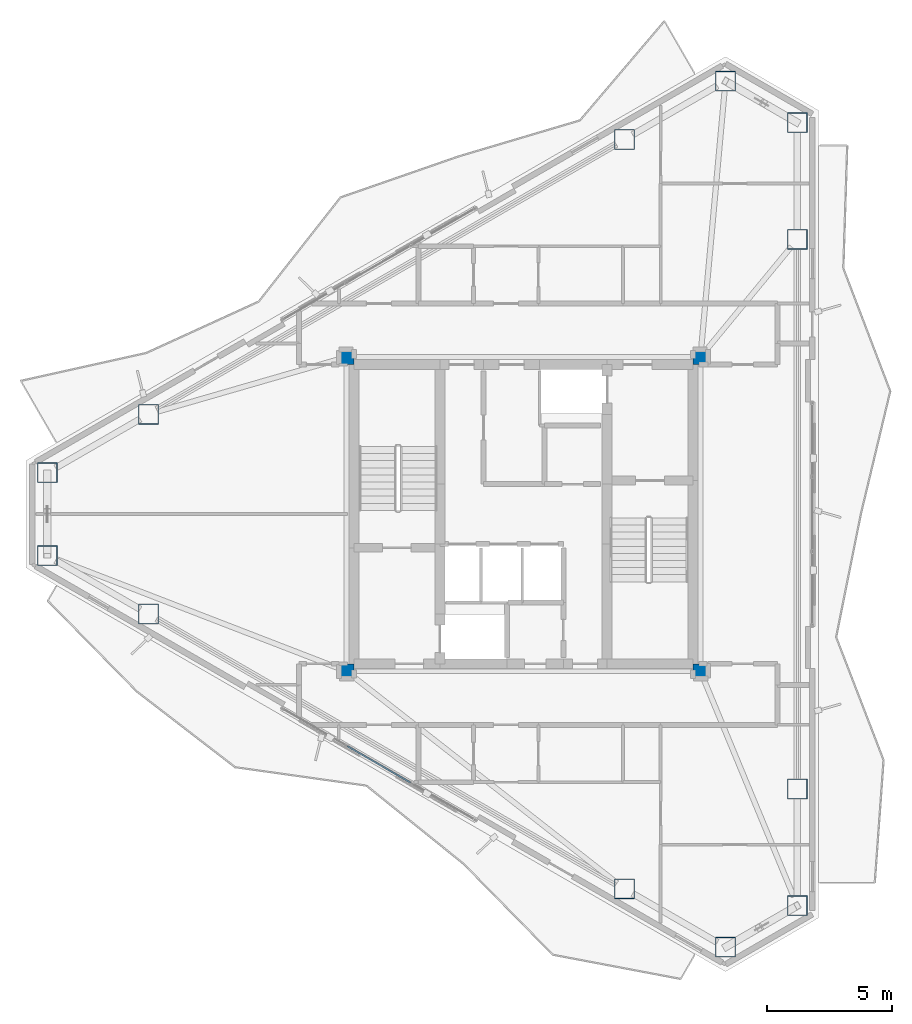
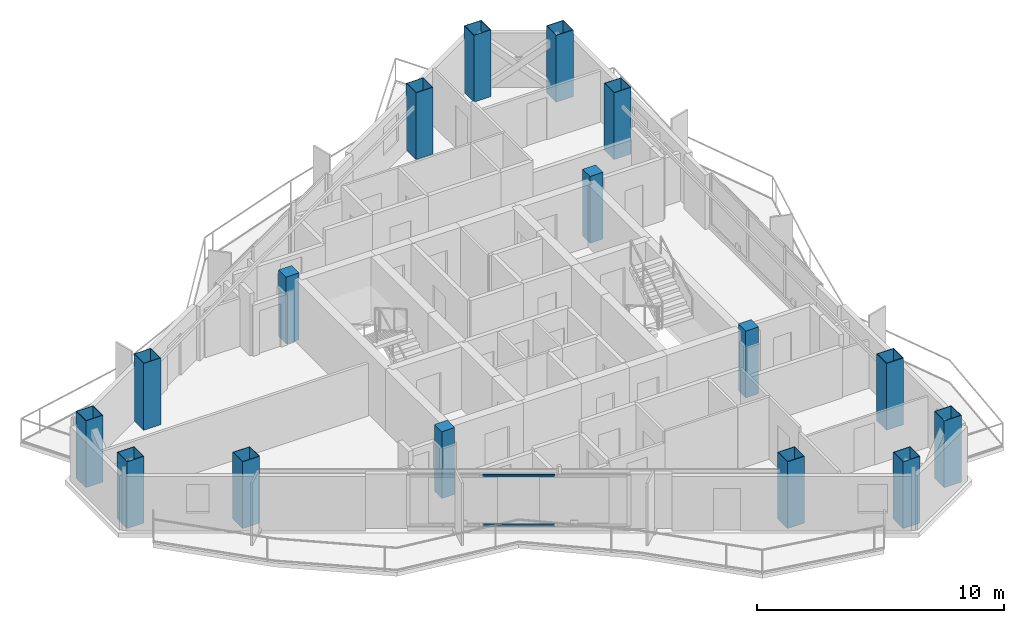
# One storey, part 1 of 22: 16 columns, 2 members, 1 element without a shape of its own.
"""IFC4 building model written with IfcOpenShell, lengths in metres."""

from ifc_helpers import new_model, si_unit, direction, frame, origin, origin_2d, place, context, subcontext, project, spatial, rectangle, hollow_rectangle, extrude, material, layer, layer_set, material_profile, profile_set, type_object, element, aggregate, save


model = new_model("IFC4")

# Units and contexts
model_context = context("Model", 3, precision=1e-05, world=origin(), true_north=direction((0.0, 1.0)))
body_context = subcontext(model_context, "Body", "Model", "MODEL_VIEW")
ifc_project = project(units=[si_unit("LENGTHUNIT", "METRE"), si_unit("AREAUNIT", "SQUARE_METRE"), si_unit("VOLUMEUNIT", "CUBIC_METRE"), si_unit("PLANEANGLEUNIT", "RADIAN"), si_unit("MASSUNIT", "GRAM", prefix="KILO")], contexts=[model_context])

# Site, building, storey
site_placement = place(None, origin())
site = spatial("IfcSite", under=ifc_project, at=site_placement, CompositionType="ELEMENT")
building_placement = place(site_placement, origin())
building = spatial("IfcBuilding", under=site, at=building_placement, Name="Mersakhor Tower and Convention Hall", CompositionType="ELEMENT")
storey_placement = place(building_placement, frame((0.0, 0.0, 208.5)))
storey = spatial("IfcBuildingStorey", under=building, at=storey_placement, Name="L58", CompositionType="ELEMENT", Elevation=208.5)

# Columns
ifc_material_1 = material(Name="Concrete C50/60 in S460M steel box", Category="concrete")
ifc_material_profile_1 = material_profile(ifc_material_1, hollow_rectangle(XDim=0.800048828125, YDim=0.800048828125, WallThickness=0.02490234375, at=origin_2d()), Name="SHS 800x800x25")
ifc_profile_set_1 = profile_set([ifc_material_profile_1], Name="Concrete C50/60 in S460M steel box")
column_type_1 = type_object("IfcColumnType", Name="COL-CFT-800", PredefinedType="COLUMN", material=ifc_profile_set_1)
for number, where, z_axis, x_axis, name in (
    (1, (9.907470703125, 28.415283203125, 0.0), (0.0, 0.0, 1.0), (1.0, 0.0, 0.0), "L58 Perimeter Mega-Column MC-01"),
    (2, (13.959716796875, 30.7548828125, 0.0), (0.0, 0.0, 1.0), (1.0, 0.0, 0.0), "L58 Perimeter Mega-Column MC-02"),
    (3, (33.0517578125, 41.777587890625, 0.0), (0.0, 0.0, 1.0), (1.0, 0.0, 0.0), "L58 Perimeter Mega-Column MC-03"),
    (4, (37.10400390625, 44.1171875, 0.0), (0.0, 0.0, 1.0), (1.0, 0.0, 0.0), "L58 Perimeter Mega-Column MC-04"),
    (5, (39.98828125, 42.451904296875, 0.0), (0.0, 0.0, 1.0), (1.0, 0.0, 0.0), "L58 Perimeter Mega-Column MC-05"),
    (6, (39.98828125, 37.772705078125, 0.0), (0.0, 0.0, 1.0), (1.0, 0.0, 0.0), "L58 Perimeter Mega-Column MC-06"),
    (7, (39.98828125, 15.727294921875, 0.0), (0.0, 0.0, 1.0), (1.0, 0.0, 0.0), "L58 Perimeter Mega-Column MC-07"),
    (8, (39.98828125, 11.048095703125, 0.0), (0.0, 0.0, 1.0), (1.0, 0.0, 0.0), "L58 Perimeter Mega-Column MC-08"),
    (9, (37.10400390625, 9.3828125, 0.0), (0.0, 0.0, 1.0), (1.0, 0.0, 0.0), "L58 Perimeter Mega-Column MC-09"),
    (10, (33.0517578125, 11.722412109375, 0.0), (0.0, 0.0, 1.0), (1.0, 0.0, 0.0), "L58 Perimeter Mega-Column MC-10"),
    (11, (13.959716796875, 22.7451171875, 0.0), (0.0, 0.0, 1.0), (1.0, 0.0, 0.0), "L58 Perimeter Mega-Column MC-11"),
    (12, (9.907470703125, 25.084716796875, 0.0), (0.0, 0.0, 1.0), (1.0, 0.0, 0.0), "L58 Perimeter Mega-Column MC-12"),
):
    element("IfcColumn", number, at=place(storey_placement, frame(where, z_axis=z_axis, x_axis=x_axis)), inside=storey, type_object=column_type_1, Name=name, PredefinedType="COLUMN", context=body_context, shape_type="SweptSolid", body=[
        extrude(hollow_rectangle(XDim=0.800048828125, YDim=0.800048828125, WallThickness=0.02490234375, at=origin_2d()), origin(), (0.0, 0.0, 1.0), 3.300048828125),
    ])
ifc_material_2 = material(Name="Concrete C50/60", Category="concrete")
ifc_material_profile_2 = material_profile(ifc_material_2, rectangle(XDim=0.60009765625, YDim=0.60009765625, at=origin_2d()), Name="RC 600x600")
ifc_profile_set_2 = profile_set([ifc_material_profile_2], Name="Concrete C50/60")
column_type_2 = type_object("IfcColumnType", Name="COL-RC-600", PredefinedType="COLUMN", material=ifc_profile_set_2)
for number, where, z_axis, x_axis, name in (
    (13, (21.89990234375, 20.449951171875, 0.0), (0.0, 0.0, 1.0), (1.0, 0.0, 0.0), "L58 Core Corner Column CC-1"),
    (14, (21.89990234375, 33.050048828125, 0.0), (0.0, 0.0, 1.0), (1.0, 0.0, 0.0), "L58 Core Corner Column CC-2"),
    (15, (36.10009765625, 33.050048828125, 0.0), (0.0, 0.0, 1.0), (1.0, 0.0, 0.0), "L58 Core Corner Column CC-3"),
    (16, (36.10009765625, 20.449951171875, 0.0), (0.0, 0.0, 1.0), (1.0, 0.0, 0.0), "L58 Core Corner Column CC-4"),
):
    element("IfcColumn", number, at=place(storey_placement, frame(where, z_axis=z_axis, x_axis=x_axis)), inside=storey, type_object=column_type_2, Name=name, PredefinedType="COLUMN", context=body_context, shape_type="SweptSolid", body=[
        extrude(rectangle(XDim=0.60009765625, YDim=0.60009765625, at=origin_2d()), origin(), (0.0, 0.0, 1.0), 3.300048828125),
    ])

# Curtain wall, members
ifc_material_3 = material(Name="Dark solar low-E aluminium curtain wall", Category="aluminium")
ifc_layer = layer(ifc_material_3, 0.169921875)
ifc_layer_set = layer_set([ifc_layer], Name="Dark solar low-E aluminium curtain wall")
curtain_wall_type = type_object("IfcCurtainWallType", Name="CW-SYS-02", PredefinedType="USERDEFINED", material=ifc_layer_set)
curtain_wall_placement = place(storey_placement, origin())
curtain_wall = element("IfcCurtainWall", 17, at=curtain_wall_placement, inside=storey, type_object=curtain_wall_type, Name="L58 Dark-Glass Curtain Wall F3-B2", ObjectType="CURTAIN WALL", PredefinedType="USERDEFINED")
ifc_material_4 = material(Name="Anodised aluminium EN AW-6063 T6", Category="aluminium")
ifc_material_profile_3 = material_profile(ifc_material_4, hollow_rectangle(XDim=0.06005859375, YDim=0.1201171875, WallThickness=0.0048828125, at=origin_2d()), Name="RHS 120x60x5")
ifc_profile_set_3 = profile_set([ifc_material_profile_3], Name="Anodised aluminium EN AW-6063 T6")
member_type = type_object("IfcMemberType", Name="CWT-120x60", PredefinedType="USERDEFINED", material=ifc_profile_set_3)
member_1_placement = place(storey_placement, frame((24.47216796875, 15.98291015625, 0.22998046875), z_axis=(-0.866004860328, 0.500035580622, 0.0), x_axis=(-0.500035580622, -0.866004860328, 0.0)))
member_1 = element("IfcMember", 18, at=member_1_placement, type_object=member_type, Name="CW-02 transom 2.1", ObjectType="TRANSOM", PredefinedType="USERDEFINED", context=body_context, shape_type="SweptSolid", body=[
    extrude(hollow_rectangle(XDim=0.06005859375, YDim=0.1201171875, WallThickness=0.0048828125, at=origin_2d()), origin(), (0.0, 0.0, 1.0), 2.924560546875),
])
member_2_placement = place(storey_placement, frame((24.47216796875, 15.98291015625, 2.659912109375), z_axis=(-0.866004860328, 0.500035580622, 0.0), x_axis=(-0.500035580622, -0.866004860328, 0.0)))
member_2 = element("IfcMember", 19, at=member_2_placement, type_object=member_type, Name="CW-02 transom 2.2", ObjectType="TRANSOM", PredefinedType="USERDEFINED", context=body_context, shape_type="SweptSolid", body=[
    extrude(hollow_rectangle(XDim=0.06005859375, YDim=0.1201171875, WallThickness=0.0048828125, at=origin_2d()), origin(), (0.0, 0.0, 1.0), 2.924560546875),
])
aggregate(curtain_wall, [member_1, member_2])

save(model, "model.ifc")
